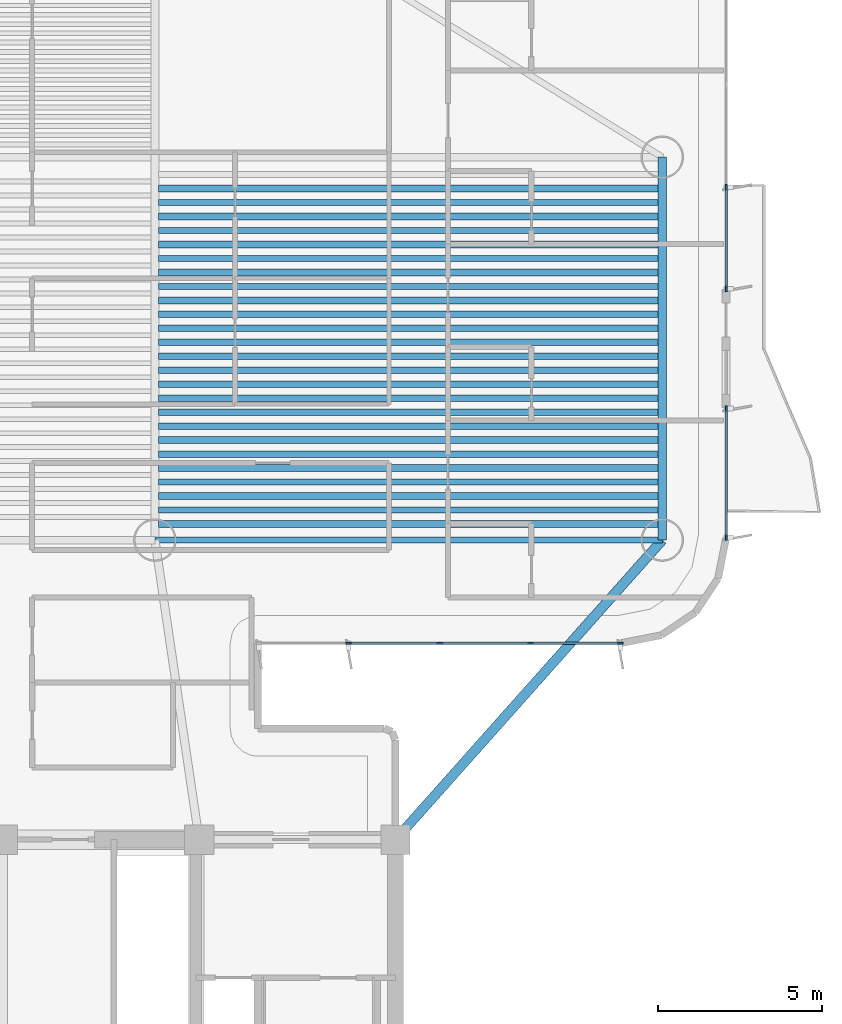
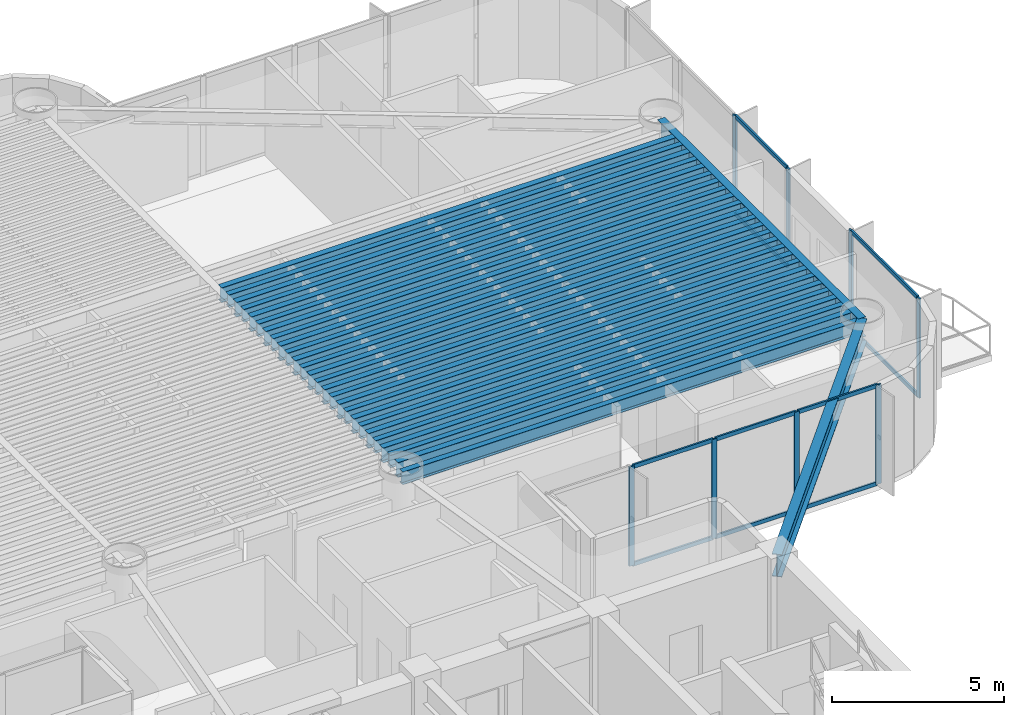
# One storey, part 4 of 17: 28 beams, 18 members, 3 elements without a shape of their own.
"""IFC4 building model written with IfcOpenShell, lengths in metres."""

import ifcopenshell
import ifcopenshell.guid

model = None  # the IFC model being written
_history = None  # IfcOwnerHistory: only IFC2X3 demands one
_inside = {}  # id of a spatial element -> (the spatial element, [elements in it])
_under = {}  # id of a project, library or spatial element -> (it, [spatial elements below it])
_declared = {}  # id of a project -> (the project, [libraries it declares])
_typed = {}  # id of a type object -> (the type object, [elements of that type])
_made_of = {}  # id of a material, layer set ... -> (it, [elements and type objects made of it])


def new_model(schema):
    """Start an empty IFC model of exactly this schema.

    Asked for "IFC4X3", IfcOpenShell would pick the latest addendum, in which some entities
    have other attributes; the version numbers below select the first issue.
    IFC2X3 requires an IfcOwnerHistory on every rooted entity: one is made here for all.
    """
    global model, _history
    if schema == "IFC4X3":
        model = ifcopenshell.file(schema_version=(4, 3, 0, 0))
    else:
        model = ifcopenshell.file(schema=schema)
    _inside.clear()
    _under.clear()
    _declared.clear()
    _typed.clear()
    _made_of.clear()
    _history = None
    if model.schema == "IFC2X3":
        org = make("IfcOrganization", Name="unknown")
        user = make(
            "IfcPersonAndOrganization",
            ThePerson=make("IfcPerson", FamilyName="unknown"),
            TheOrganization=org,
        )
        app = make(
            "IfcApplication",
            ApplicationDeveloper=org,
            Version="unknown",
            ApplicationFullName="unknown",
            ApplicationIdentifier="unknown",
        )
        _history = make(
            "IfcOwnerHistory",
            OwningUser=user,
            OwningApplication=app,
            ChangeAction="ADDED",
            CreationDate=0,
        )
    return model


def make(cls, **values):
    """One entity of the class cls with the attributes given. An attribute that is None is left unset."""
    return model.create_entity(
        cls, **{name: value for name, value in values.items() if value is not None}
    )


def rooted(cls, **values):
    """An entity with a GlobalId (a new one), such as an element, a storey or a relation."""
    return make(cls, GlobalId=ifcopenshell.guid.new(), OwnerHistory=_history, **values)


def si_unit(unit_type, name, prefix=None):
    """IfcSIUnit, for example si_unit("LENGTHUNIT", "METRE", prefix="MILLI")."""
    return make("IfcSIUnit", UnitType=unit_type, Prefix=prefix, Name=name)


def assignment(units):
    """IfcUnitAssignment: the units of a project."""
    return None if units is None else make("IfcUnitAssignment", Units=units)


def point(xyz):
    """IfcCartesianPoint."""
    return None if xyz is None else make("IfcCartesianPoint", Coordinates=xyz)


def direction(xyz):
    """IfcDirection."""
    return None if xyz is None else make("IfcDirection", DirectionRatios=xyz)


def frame(location, z_axis=None, x_axis=None):
    """IfcAxis2Placement3D, a coordinate frame: its origin and axes. An axis left out is left unset."""
    return make(
        "IfcAxis2Placement3D",
        Location=point(location),
        Axis=direction(z_axis),
        RefDirection=direction(x_axis),
    )


def frame_2d(location, x_axis=None):
    """IfcAxis2Placement2D, a coordinate frame in the plane: its origin and x axis."""
    return make(
        "IfcAxis2Placement2D", Location=point(location), RefDirection=direction(x_axis)
    )


def origin():
    """The frame at (0, 0, 0) with its axes left unset."""
    return frame((0.0, 0.0, 0.0))


def origin_2d():
    """The frame at (0, 0) in the plane with its x axis left unset."""
    return frame_2d((0.0, 0.0))


def place(relative_to, where):
    """IfcLocalPlacement: puts the frame where relative to a parent placement (None: the world)."""
    return make(
        "IfcLocalPlacement", PlacementRelTo=relative_to, RelativePlacement=where
    )


def context(
    kind, dimensions, precision=None, world=None, true_north=None, identifier=None
):
    """IfcGeometricRepresentationContext, for example the 3D "Model" context."""
    return make(
        "IfcGeometricRepresentationContext",
        ContextIdentifier=identifier,
        ContextType=kind,
        CoordinateSpaceDimension=dimensions,
        Precision=precision,
        WorldCoordinateSystem=world,
        TrueNorth=true_north,
    )


def subcontext(parent, identifier, kind, view, scale=None):
    """IfcGeometricRepresentationSubContext, for example "Body" below "Model"."""
    return make(
        "IfcGeometricRepresentationSubContext",
        ContextIdentifier=identifier,
        ContextType=kind,
        ParentContext=parent,
        TargetScale=scale,
        TargetView=view,
    )


def project(units=None, contexts=None):
    """IfcProject with its units and contexts."""
    return rooted(
        "IfcProject",
        Name="project",
        RepresentationContexts=contexts,
        UnitsInContext=assignment(units),
    )


def spatial(cls, under=None, at=None, **own):
    """A site, building, storey or space (cls), placed at a placement, below another one or the project."""
    s = rooted(cls, ObjectPlacement=at, **own)
    if under is not None:
        _under.setdefault(under.id(), (under, []))[1].append(s)
    return s


def profile(cls, at=None, kind="AREA", **sizes):
    """A parametric profile (cls). Its sizes go by their IFC names, for example OverallWidth=200.0."""
    return make(cls, ProfileType=kind, Position=at, **sizes)


def rectangle(**sizes):
    """IfcRectangleProfileDef."""
    return profile("IfcRectangleProfileDef", **sizes)


def i_section(**sizes):
    """IfcIShapeProfileDef."""
    return profile("IfcIShapeProfileDef", **sizes)


def extrude(swept, where, along, depth):
    """IfcExtrudedAreaSolid: the profile swept, set in the frame where, extruded along a direction by depth."""
    return make(
        "IfcExtrudedAreaSolid",
        SweptArea=swept,
        Position=where,
        ExtrudedDirection=direction(along),
        Depth=depth,
    )


def shape(context_of_items, identifier, shape_type, items):
    """IfcShapeRepresentation: the items that make up one representation, for example the "Body"."""
    return make(
        "IfcShapeRepresentation",
        ContextOfItems=context_of_items,
        RepresentationIdentifier=identifier,
        RepresentationType=shape_type,
        Items=items,
    )


def source(mapping_origin, context_of_items, identifier, shape_type, items):
    """IfcRepresentationMap: a shape defined once, which mapped items show again and again."""
    return make(
        "IfcRepresentationMap",
        MappingOrigin=mapping_origin,
        MappedRepresentation=shape(context_of_items, identifier, shape_type, items),
    )


def transform(
    local_origin,
    x_axis=None,
    y_axis=None,
    z_axis=None,
    scale=None,
    scale2=None,
    scale3=None,
    uniform=True,
):
    """IfcCartesianTransformationOperator3D, or its non-uniform kind. x_axis, y_axis, z_axis: its Axis1, 2, 3."""
    if uniform:
        return make(
            "IfcCartesianTransformationOperator3D",
            Axis1=direction(x_axis),
            Axis2=direction(y_axis),
            LocalOrigin=point(local_origin),
            Scale=scale,
            Axis3=direction(z_axis),
        )
    return make(
        "IfcCartesianTransformationOperator3DnonUniform",
        Axis1=direction(x_axis),
        Axis2=direction(y_axis),
        LocalOrigin=point(local_origin),
        Scale=scale,
        Axis3=direction(z_axis),
        Scale2=scale2,
        Scale3=scale3,
    )


def mapped(mapping_source, mapping_target):
    """IfcMappedItem: shows the shape of a source again, moved by a transform."""
    return make(
        "IfcMappedItem", MappingSource=mapping_source, MappingTarget=mapping_target
    )


def material(Name=None, Category=None):
    """IfcMaterial."""
    return make("IfcMaterial", Name=Name, Category=Category)


def layer(
    of_material, thickness, ventilated=None, Name=None, Category=None, Priority=None
):
    """IfcMaterialLayer: one layer of a wall or slab, of a material (None: an air gap)."""
    return make(
        "IfcMaterialLayer",
        Material=of_material,
        LayerThickness=thickness,
        IsVentilated=ventilated,
        Name=Name,
        Category=Category,
        Priority=Priority,
    )


def layer_set(layers, Name=None):
    """IfcMaterialLayerSet."""
    return make("IfcMaterialLayerSet", MaterialLayers=layers, LayerSetName=Name)


def material_profile(
    of_material, cross_section, Name=None, Category=None, Priority=None
):
    """IfcMaterialProfile: a cross section and its material."""
    return make(
        "IfcMaterialProfile",
        Name=Name,
        Material=of_material,
        Profile=cross_section,
        Priority=Priority,
        Category=Category,
    )


def profile_set(profiles, Name=None, composite=None):
    """IfcMaterialProfileSet."""
    return make(
        "IfcMaterialProfileSet",
        Name=Name,
        MaterialProfiles=profiles,
        CompositeProfile=composite,
    )


def made_of(thing, what):
    """Note that an element or type object is made of a material, layer set ...; save() writes the relation."""
    if what is not None:
        _made_of.setdefault(what.id(), (what, []))[1].append(thing)
    return thing


def type_object(cls, material=None, **own):
    """A type object (cls), such as IfcWallType, which elements share."""
    return made_of(rooted(cls, **own), material)


def element(
    cls,
    number,
    at=None,
    inside=None,
    cuts=None,
    type_object=None,
    material=None,
    context=None,
    identifier="Body",
    shape_type=None,
    held_by="IfcProductDefinitionShape",
    body=None,
    shapes=None,
    **own,
):
    """One element of the class cls, such as IfcWall. Its Tag is "e" and its number.

    at: its placement. inside: the storey or other place that contains it. cuts: it is an
    opening in that element (IfcRelVoidsElement). A single representation is given by context,
    identifier, shape_type and body (its items); several are given by shapes. held_by: the class
    of the entity that holds the representations. save() writes the other relations.
    """
    e = rooted(cls, Tag="e%d" % number, ObjectPlacement=at, **own)
    if body is not None:
        shapes = [shape(context, identifier, shape_type, body)]
    if shapes is not None:
        e.Representation = make(held_by, Representations=shapes)
    if inside is not None:
        _inside.setdefault(inside.id(), (inside, []))[1].append(e)
    if cuts is not None:
        rooted(
            "IfcRelVoidsElement", RelatingBuildingElement=cuts, RelatedOpeningElement=e
        )
    if type_object is not None:
        _typed.setdefault(type_object.id(), (type_object, []))[1].append(e)
    return made_of(e, material)


def aggregate(whole, parts):
    """IfcRelAggregates: a whole, such as a stair, and the parts it consists of."""
    return rooted("IfcRelAggregates", RelatingObject=whole, RelatedObjects=parts)


def save(model, path):
    """Write the relations noted so far, then the file.

    IfcRelAggregates (storeys below a building ...), IfcRelContainedInSpatialStructure (elements
    in a storey), IfcRelDefinesByType, IfcRelAssociatesMaterial and IfcRelDeclares: one each for
    every whole, place, type object, material and project.
    """
    for whole, parts in _under.values():
        aggregate(whole, parts)
    for where, things in _inside.values():
        rooted(
            "IfcRelContainedInSpatialStructure",
            RelatedElements=things,
            RelatingStructure=where,
        )
    for kind, things in _typed.values():
        rooted("IfcRelDefinesByType", RelatedObjects=things, RelatingType=kind)
    for what, things in _made_of.values():
        rooted("IfcRelAssociatesMaterial", RelatedObjects=things, RelatingMaterial=what)
    for by, libraries in _declared.values():
        rooted("IfcRelDeclares", RelatingContext=by, RelatedDefinitions=libraries)
    model.write(path)


model = new_model("IFC4")

# Units and contexts
model_context = context("Model", 3, precision=1e-05, world=origin(), true_north=direction((0.0, 1.0)))
body_context = subcontext(model_context, "Body", "Model", "MODEL_VIEW")
ifc_project = project(units=[si_unit("LENGTHUNIT", "METRE"), si_unit("AREAUNIT", "SQUARE_METRE"), si_unit("VOLUMEUNIT", "CUBIC_METRE"), si_unit("PLANEANGLEUNIT", "RADIAN"), si_unit("MASSUNIT", "GRAM", prefix="KILO")], contexts=[model_context])

# Site, building, storey
site_placement = place(None, origin())
site = spatial("IfcSite", under=ifc_project, at=site_placement, CompositionType="ELEMENT")
building_placement = place(site_placement, origin())
building = spatial("IfcBuilding", under=site, at=building_placement, Name="Brelvock Crest Care Tower", CompositionType="ELEMENT")
storey_placement = place(building_placement, frame((0.0, 0.0, 127.6201171875)))
storey = spatial("IfcBuildingStorey", under=building, at=storey_placement, Name="L32", CompositionType="ELEMENT", Elevation=127.6201171875)

# Beams
ifc_material_1 = material(Name="Steel Grade 350", Category="steel")
ifc_material_profile_1 = material_profile(ifc_material_1, i_section(OverallWidth=0.208984375, OverallDepth=0.532958984375, WebThickness=0.01025390625, FlangeThickness=0.015625, FilletRadius=0.013916015625, at=origin_2d()), Name="530UB92.4")
ifc_profile_set_1 = profile_set([ifc_material_profile_1], Name="Steel Grade 350")
beam_type_1 = type_object("IfcBeamType", Name="BM-G2", PredefinedType="BEAM", material=ifc_profile_set_1)
shared_shape_1 = source(origin(), body_context, "Body", "SweptSolid", [
    extrude(i_section(OverallWidth=0.208984375, OverallDepth=0.532958984375, WebThickness=0.01025390625, FlangeThickness=0.015625, FilletRadius=0.013916015625, at=origin_2d()), origin(), (0.0, 0.0, 1.0), 15.27001953125),
])
for number, where, z_axis, x_axis, name in (
    (1, (40.764892578125, 27.641357421875, 3.263427734375), (1.0, 0.0, 0.0), (0.0, 1.0, 0.0), "BM-JE-L32-1"),
    (2, (40.764892578125, 28.49560546875, 3.263427734375), (1.0, 0.0, 0.0), (0.0, 1.0, 0.0), "BM-JE-L32-3"),
    (3, (40.764892578125, 29.349609375, 3.263427734375), (1.0, 0.0, 0.0), (0.0, 1.0, 0.0), "BM-JE-L32-5"),
    (4, (40.764892578125, 30.20361328125, 3.263427734375), (1.0, 0.0, 0.0), (0.0, 1.0, 0.0), "BM-JE-L32-7"),
    (5, (40.764892578125, 31.057861328125, 3.263427734375), (1.0, 0.0, 0.0), (0.0, 1.0, 0.0), "BM-JE-L32-9"),
    (6, (40.764892578125, 31.911865234375, 3.263427734375), (1.0, 0.0, 0.0), (0.0, 1.0, 0.0), "BM-JE-L32-11"),
    (7, (40.764892578125, 32.76611328125, 3.263427734375), (1.0, 0.0, 0.0), (0.0, 1.0, 0.0), "BM-JE-L32-13"),
    (8, (40.764892578125, 33.6201171875, 3.263427734375), (1.0, 0.0, 0.0), (0.0, 1.0, 0.0), "BM-JE-L32-15"),
    (9, (40.764892578125, 34.47412109375, 3.263427734375), (1.0, 0.0, 0.0), (0.0, 1.0, 0.0), "BM-JE-L32-17"),
    (10, (40.764892578125, 35.328369140625, 3.263427734375), (1.0, 0.0, 0.0), (0.0, 1.0, 0.0), "BM-JE-L32-19"),
    (11, (40.764892578125, 36.182373046875, 3.263427734375), (1.0, 0.0, 0.0), (0.0, 1.0, 0.0), "BM-JE-L32-21"),
    (12, (40.764892578125, 37.03662109375, 3.263427734375), (1.0, 0.0, 0.0), (0.0, 1.0, 0.0), "BM-JE-L32-23"),
    (13, (40.764892578125, 37.890625, 3.263427734375), (1.0, 0.0, 0.0), (0.0, 1.0, 0.0), "BM-JE-L32-25"),
):
    element("IfcBeam", number, at=place(storey_placement, frame(where, z_axis=z_axis, x_axis=x_axis)), inside=storey, type_object=beam_type_1, Name=name, PredefinedType="BEAM", context=body_context, shape_type="MappedRepresentation", body=[
        mapped(shared_shape_1, transform((0.0, 0.0, 0.0), x_axis=(1.0, 0.0, 0.0), y_axis=(0.0, 1.0, 0.0), z_axis=(0.0, 0.0, 1.0), scale=1.0)),
    ])
ifc_material_profile_2 = material_profile(ifc_material_1, i_section(OverallWidth=0.19091796875, OverallDepth=0.4599609375, WebThickness=0.010009765625, FlangeThickness=0.01611328125, FilletRadius=0.011474609375, at=origin_2d()), Name="460UB82.1")
ifc_profile_set_2 = profile_set([ifc_material_profile_2], Name="Steel Grade 350")
beam_type_2 = type_object("IfcBeamType", Name="BM-G3", PredefinedType="BEAM", material=ifc_profile_set_2)
shared_shape_2 = source(origin(), body_context, "Body", "SweptSolid", [
    extrude(i_section(OverallWidth=0.19091796875, OverallDepth=0.4599609375, WebThickness=0.010009765625, FlangeThickness=0.01611328125, FilletRadius=0.011474609375, at=origin_2d()), origin(), (0.0, 0.0, 1.0), 15.27001953125),
])
for number, where, z_axis, x_axis, name in (
    (14, (40.764892578125, 28.068359375, 3.2998046875), (1.0, 0.0, 0.0), (0.0, 1.0, 0.0), "BM-JE-L32-2"),
    (15, (40.764892578125, 28.922607421875, 3.2998046875), (1.0, 0.0, 0.0), (0.0, 1.0, 0.0), "BM-JE-L32-4"),
    (16, (40.764892578125, 29.776611328125, 3.2998046875), (1.0, 0.0, 0.0), (0.0, 1.0, 0.0), "BM-JE-L32-6"),
    (17, (40.764892578125, 30.630615234375, 3.2998046875), (1.0, 0.0, 0.0), (0.0, 1.0, 0.0), "BM-JE-L32-8"),
    (18, (40.764892578125, 31.48486328125, 3.2998046875), (1.0, 0.0, 0.0), (0.0, 1.0, 0.0), "BM-JE-L32-10"),
    (19, (40.764892578125, 32.3388671875, 3.2998046875), (1.0, 0.0, 0.0), (0.0, 1.0, 0.0), "BM-JE-L32-12"),
    (20, (40.764892578125, 33.193115234375, 3.2998046875), (1.0, 0.0, 0.0), (0.0, 1.0, 0.0), "BM-JE-L32-14"),
    (21, (40.764892578125, 34.047119140625, 3.2998046875), (1.0, 0.0, 0.0), (0.0, 1.0, 0.0), "BM-JE-L32-16"),
    (22, (40.764892578125, 34.901123046875, 3.2998046875), (1.0, 0.0, 0.0), (0.0, 1.0, 0.0), "BM-JE-L32-18"),
    (23, (40.764892578125, 35.75537109375, 3.2998046875), (1.0, 0.0, 0.0), (0.0, 1.0, 0.0), "BM-JE-L32-20"),
    (24, (40.764892578125, 36.609619140625, 3.2998046875), (1.0, 0.0, 0.0), (0.0, 1.0, 0.0), "BM-JE-L32-22"),
    (25, (40.764892578125, 37.46337890625, 3.2998046875), (1.0, 0.0, 0.0), (0.0, 1.0, 0.0), "BM-JE-L32-24"),
):
    element("IfcBeam", number, at=place(storey_placement, frame(where, z_axis=z_axis, x_axis=x_axis)), inside=storey, type_object=beam_type_2, Name=name, PredefinedType="BEAM", context=body_context, shape_type="MappedRepresentation", body=[
        mapped(shared_shape_2, transform((0.0, 0.0, 0.0), x_axis=(1.0, 0.0, 0.0), y_axis=(0.0, 1.0, 0.0), z_axis=(0.0, 0.0, 1.0), scale=1.0)),
    ])
ifc_material_profile_3 = material_profile(ifc_material_1, i_section(OverallWidth=0.25, OverallDepth=0.699951171875, WebThickness=0.011962890625, FlangeThickness=0.02001953125, at=origin_2d()), Name="700WB150")
ifc_profile_set_3 = profile_set([ifc_material_profile_3], Name="Steel Grade 350")
beam_type_3 = type_object("IfcBeamType", Name="BM-G4", PredefinedType="BEAM", material=ifc_profile_set_3)
shared_shape_3 = source(origin(), body_context, "Body", "SweptSolid", [
    extrude(i_section(OverallWidth=0.25, OverallDepth=0.699951171875, WebThickness=0.011962890625, FlangeThickness=0.02001953125, at=origin_2d()), origin(), (0.0, 0.0, 1.0), 11.7001953125),
])
beam_1_placement = place(storey_placement, frame((56.14990234375, 27.14990234375, 3.179931640625), z_axis=(0.0, 1.0, 0.0), x_axis=(-1.0, 0.0, 0.0)))
element("IfcBeam", 26, at=beam_1_placement, inside=storey, type_object=beam_type_3, Name="BM-TWR-L32-02", PredefinedType="BEAM", context=body_context, shape_type="MappedRepresentation", body=[
    mapped(shared_shape_3, transform((0.0, 0.0, 0.0), x_axis=(1.0, 0.0, 0.0), y_axis=(0.0, 1.0, 0.0), z_axis=(0.0, 0.0, 1.0), scale=1.0)),
])
ifc_material_profile_4 = material_profile(ifc_material_1, i_section(OverallWidth=0.19091796875, OverallDepth=0.4599609375, WebThickness=0.010009765625, FlangeThickness=0.01611328125, FilletRadius=0.011474609375, at=origin_2d()), Name="460UB82.1")
ifc_profile_set_4 = profile_set([ifc_material_profile_4], Name="Steel Grade 350")
beam_type_4 = type_object("IfcBeamType", Name="BM-SP2", PredefinedType="SPANDREL", material=ifc_profile_set_4)
shared_shape_4 = source(origin(), body_context, "Body", "SweptSolid", [
    extrude(i_section(OverallWidth=0.19091796875, OverallDepth=0.4599609375, WebThickness=0.010009765625, FlangeThickness=0.01611328125, FilletRadius=0.011474609375, at=origin_2d()), origin(), (0.0, 0.0, 1.0), 15.5),
])
beam_2_placement = place(storey_placement, frame((40.64990234375, 27.14990234375, 3.2998046875), z_axis=(1.0, 0.0, 0.0), x_axis=(0.0, 1.0, 0.0)))
element("IfcBeam", 27, at=beam_2_placement, inside=storey, type_object=beam_type_4, Name="BM-TWR-L32-04", PredefinedType="SPANDREL", context=body_context, shape_type="MappedRepresentation", body=[
    mapped(shared_shape_4, transform((0.0, 0.0, 0.0), x_axis=(1.0, 0.0, 0.0), y_axis=(0.0, 1.0, 0.0), z_axis=(0.0, 0.0, 1.0), scale=1.0)),
])
ifc_material_profile_5 = material_profile(ifc_material_1, i_section(OverallWidth=0.300048828125, OverallDepth=0.800048828125, WebThickness=0.013916015625, FlangeThickness=0.02197265625, at=origin_2d()), Name="800WB192")
ifc_profile_set_5 = profile_set([ifc_material_profile_5], Name="Steel Grade 350")
beam_type_5 = type_object("IfcBeamType", Name="BM-G5", PredefinedType="BEAM", material=ifc_profile_set_5)
shared_shape_5 = source(origin(), body_context, "Body", "SweptSolid", [
    extrude(i_section(OverallWidth=0.300048828125, OverallDepth=0.800048828125, WebThickness=0.013916015625, FlangeThickness=0.02197265625, at=origin_2d()), origin(), (0.0, 0.0, 1.0), 12.253173828125),
])
beam_3_placement = place(storey_placement, frame((48.0, 18.0, 3.1298828125), z_axis=(0.665122829149, 0.746733970129, 0.0), x_axis=(-0.746733970129, 0.665122829149, 0.0)))
element("IfcBeam", 28, at=beam_3_placement, inside=storey, type_object=beam_type_5, Name="BM-THRO-E-L32", PredefinedType="BEAM", context=body_context, shape_type="MappedRepresentation", body=[
    mapped(shared_shape_5, transform((0.0, 0.0, 0.0), x_axis=(1.0, 0.0, 0.0), y_axis=(0.0, 1.0, 0.0), z_axis=(0.0, 0.0, 1.0), scale=1.0)),
])

# Curtain wall, members
ifc_material_2 = material(Name="Dark Glass Double Glazed Low-E", Category="glass")
ifc_layer = layer(ifc_material_2, 0.2099609375, Name="CWS-3")
ifc_layer_set = layer_set([ifc_layer], Name="Dark Glass Double Glazed Low-E")
curtain_wall_type = type_object("IfcCurtainWallType", Name="CWS-3", PredefinedType="NOTDEFINED", material=ifc_layer_set)
curtain_wall_1_placement = place(storey_placement, origin())
curtain_wall_1 = element("IfcCurtainWall", 29, at=curtain_wall_1_placement, inside=storey, type_object=curtain_wall_type, Name="L32 Curtain Wall E44", PredefinedType="NOTDEFINED")
ifc_material_3 = material(Name="Aluminium 6063-T6", Category="aluminium")
ifc_material_profile_6 = material_profile(ifc_material_3, rectangle(XDim=0.06005859375, YDim=0.139892578125, at=origin_2d()), Name="ALU60x140")
ifc_profile_set_6 = profile_set([ifc_material_profile_6], Name="Aluminium 6063-T6")
member_type_1 = type_object("IfcMemberType", Name="CWT-2", PredefinedType="USERDEFINED", material=ifc_profile_set_6)
shared_shape_6 = source(origin(), body_context, "Body", "SweptSolid", [
    extrude(rectangle(XDim=0.06005859375, YDim=0.139892578125, at=origin_2d()), origin(), (0.0, 0.0, 1.0), 2.715087890625),
])
member_1_placement = place(storey_placement, frame((52.094970703125, 24.0, 0.02978515625), z_axis=(-1.0, 0.0, 0.0), x_axis=(0.0, -1.0, 0.0)))
member_1 = element("IfcMember", 30, at=member_1_placement, type_object=member_type_1, Name="CW-3 transom 2.1", ObjectType="TRANSOM", PredefinedType="USERDEFINED", context=body_context, shape_type="MappedRepresentation", body=[
    mapped(shared_shape_6, transform((0.0, 0.0, 0.0), x_axis=(1.0, 0.0, 0.0), y_axis=(0.0, 1.0, 0.0), z_axis=(0.0, 0.0, 1.0), scale=1.0)),
])
member_2_placement = place(storey_placement, frame((52.094970703125, 24.0, 3.5), z_axis=(-1.0, 0.0, 0.0), x_axis=(0.0, -1.0, 0.0)))
member_2 = element("IfcMember", 31, at=member_2_placement, type_object=member_type_1, Name="CW-3 transom 2.2", ObjectType="TRANSOM", PredefinedType="USERDEFINED", context=body_context, shape_type="MappedRepresentation", body=[
    mapped(shared_shape_6, transform((0.0, 0.0, 0.0), x_axis=(1.0, 0.0, 0.0), y_axis=(0.0, 1.0, 0.0), z_axis=(0.0, 0.0, 1.0), scale=1.0)),
])
member_3_placement = place(storey_placement, frame((49.320068359375, 24.0, 0.02978515625), z_axis=(-1.0, 0.0, 0.0), x_axis=(0.0, -1.0, 0.0)))
member_3 = element("IfcMember", 32, at=member_3_placement, type_object=member_type_1, Name="CW-3 transom 3.1", ObjectType="TRANSOM", PredefinedType="USERDEFINED", context=body_context, shape_type="MappedRepresentation", body=[
    mapped(shared_shape_6, transform((0.0, 0.0, 0.0), x_axis=(1.0, 0.0, 0.0), y_axis=(0.0, 1.0, 0.0), z_axis=(0.0, 0.0, 1.0), scale=1.0)),
])
member_4_placement = place(storey_placement, frame((49.320068359375, 24.0, 3.5), z_axis=(-1.0, 0.0, 0.0), x_axis=(0.0, -1.0, 0.0)))
member_4 = element("IfcMember", 33, at=member_4_placement, type_object=member_type_1, Name="CW-3 transom 3.2", ObjectType="TRANSOM", PredefinedType="USERDEFINED", context=body_context, shape_type="MappedRepresentation", body=[
    mapped(shared_shape_6, transform((0.0, 0.0, 0.0), x_axis=(1.0, 0.0, 0.0), y_axis=(0.0, 1.0, 0.0), z_axis=(0.0, 0.0, 1.0), scale=1.0)),
])
shared_shape_7 = source(origin(), body_context, "Body", "SweptSolid", [
    extrude(rectangle(XDim=0.06005859375, YDim=0.139892578125, at=origin_2d()), origin(), (0.0, 0.0, 1.0), 2.68505859375),
])
member_5_placement = place(storey_placement, frame((54.840087890625, 24.0, 0.02978515625), z_axis=(-1.0, 0.0, 0.0), x_axis=(0.0, -1.0, 0.0)))
member_5 = element("IfcMember", 34, at=member_5_placement, type_object=member_type_1, Name="CW-3 transom 1.1", ObjectType="TRANSOM", PredefinedType="USERDEFINED", context=body_context, shape_type="MappedRepresentation", body=[
    mapped(shared_shape_7, transform((0.0, 0.0, 0.0), x_axis=(1.0, 0.0, 0.0), y_axis=(0.0, 1.0, 0.0), z_axis=(0.0, 0.0, 1.0), scale=1.0)),
])
member_6_placement = place(storey_placement, frame((54.840087890625, 24.0, 3.5), z_axis=(-1.0, 0.0, 0.0), x_axis=(0.0, -1.0, 0.0)))
member_6 = element("IfcMember", 35, at=member_6_placement, type_object=member_type_1, Name="CW-3 transom 1.2", ObjectType="TRANSOM", PredefinedType="USERDEFINED", context=body_context, shape_type="MappedRepresentation", body=[
    mapped(shared_shape_7, transform((0.0, 0.0, 0.0), x_axis=(1.0, 0.0, 0.0), y_axis=(0.0, 1.0, 0.0), z_axis=(0.0, 0.0, 1.0), scale=1.0)),
])

curtain_wall_2_placement = place(storey_placement, origin())
curtain_wall_2 = element("IfcCurtainWall", 36, at=curtain_wall_2_placement, inside=storey, type_object=curtain_wall_type, Name="L32 Curtain Wall E39A", PredefinedType="NOTDEFINED")
ifc_material_profile_7 = material_profile(ifc_material_3, rectangle(XDim=0.06005859375, YDim=0.179931640625, at=origin_2d()), Name="ALU60x180")
ifc_profile_set_7 = profile_set([ifc_material_profile_7], Name="Aluminium 6063-T6")
member_type_2 = type_object("IfcMemberType", Name="CWM-2", PredefinedType="MULLION", material=ifc_profile_set_7)
shared_shape_8 = source(origin(), body_context, "Body", "SweptSolid", [
    extrude(rectangle(XDim=0.06005859375, YDim=0.179931640625, at=origin_2d()), origin(), (0.0, 0.0, 1.0), 3.52978515625),
])
member_7_placement = place(storey_placement, frame((58.10009765625, 37.933349609375, 0.0), z_axis=(0.0, 0.0, 1.0), x_axis=(1.0, 0.0, 0.0)))
member_7 = element("IfcMember", 37, at=member_7_placement, type_object=member_type_2, Name="CW-3 mullion 3", PredefinedType="MULLION", context=body_context, shape_type="MappedRepresentation", body=[
    mapped(shared_shape_8, transform((0.0, 0.0, 0.0), x_axis=(1.0, 0.0, 0.0), y_axis=(0.0, 1.0, 0.0), z_axis=(0.0, 0.0, 1.0), scale=1.0)),
])
member_8_placement = place(storey_placement, frame((58.10009765625, 34.830078125, 0.0), z_axis=(0.0, 0.0, 1.0), x_axis=(1.0, 0.0, 0.0)))
member_8 = element("IfcMember", 38, at=member_8_placement, type_object=member_type_2, Name="CW-3 mullion 4", PredefinedType="MULLION", context=body_context, shape_type="MappedRepresentation", body=[
    mapped(shared_shape_8, transform((0.0, 0.0, 0.0), x_axis=(1.0, 0.0, 0.0), y_axis=(0.0, 1.0, 0.0), z_axis=(0.0, 0.0, 1.0), scale=1.0)),
])

curtain_wall_3_placement = place(storey_placement, origin())
curtain_wall_3 = element("IfcCurtainWall", 39, at=curtain_wall_3_placement, inside=storey, type_object=curtain_wall_type, Name="L32 Curtain Wall E39B", PredefinedType="NOTDEFINED")
member_9_placement = place(storey_placement, frame((58.10009765625, 31.169921875, 0.0), z_axis=(0.0, 0.0, 1.0), x_axis=(1.0, 0.0, 0.0)))
member_9 = element("IfcMember", 40, at=member_9_placement, type_object=member_type_2, Name="CW-3 mullion 1", PredefinedType="MULLION", context=body_context, shape_type="MappedRepresentation", body=[
    mapped(shared_shape_8, transform((0.0, 0.0, 0.0), x_axis=(1.0, 0.0, 0.0), y_axis=(0.0, 1.0, 0.0), z_axis=(0.0, 0.0, 1.0), scale=1.0)),
])
member_10_placement = place(storey_placement, frame((58.10009765625, 27.22998046875, 0.0), z_axis=(0.0, 0.0, 1.0), x_axis=(1.0, 0.0, 0.0)))
member_10 = element("IfcMember", 41, at=member_10_placement, type_object=member_type_2, Name="CW-3 mullion 2", PredefinedType="MULLION", context=body_context, shape_type="MappedRepresentation", body=[
    mapped(shared_shape_8, transform((0.0, 0.0, 0.0), x_axis=(1.0, 0.0, 0.0), y_axis=(0.0, 1.0, 0.0), z_axis=(0.0, 0.0, 1.0), scale=1.0)),
])

# Member
member_11_placement = place(storey_placement, frame((54.8701171875, 24.0, 0.0), z_axis=(0.0, 0.0, 1.0), x_axis=(0.0, -1.0, 0.0)))
member_11 = element("IfcMember", 42, at=member_11_placement, type_object=member_type_2, Name="CW-3 mullion 1", PredefinedType="MULLION", context=body_context, shape_type="MappedRepresentation", body=[
    mapped(shared_shape_8, transform((0.0, 0.0, 0.0), x_axis=(1.0, 0.0, 0.0), y_axis=(0.0, 1.0, 0.0), z_axis=(0.0, 0.0, 1.0), scale=1.0)),
])

member_12_placement = place(storey_placement, frame((52.125, 24.0, 0.0), z_axis=(0.0, 0.0, 1.0), x_axis=(0.0, -1.0, 0.0)))
member_12 = element("IfcMember", 43, at=member_12_placement, type_object=member_type_2, Name="CW-3 mullion 2", PredefinedType="MULLION", context=body_context, shape_type="MappedRepresentation", body=[
    mapped(shared_shape_8, transform((0.0, 0.0, 0.0), x_axis=(1.0, 0.0, 0.0), y_axis=(0.0, 1.0, 0.0), z_axis=(0.0, 0.0, 1.0), scale=1.0)),
])

member_13_placement = place(storey_placement, frame((49.35009765625, 24.0, 0.0), z_axis=(0.0, 0.0, 1.0), x_axis=(0.0, -1.0, 0.0)))
member_13 = element("IfcMember", 44, at=member_13_placement, type_object=member_type_2, Name="CW-3 mullion 3", PredefinedType="MULLION", context=body_context, shape_type="MappedRepresentation", body=[
    mapped(shared_shape_8, transform((0.0, 0.0, 0.0), x_axis=(1.0, 0.0, 0.0), y_axis=(0.0, 1.0, 0.0), z_axis=(0.0, 0.0, 1.0), scale=1.0)),
])

member_14_placement = place(storey_placement, frame((46.574951171875, 24.0, 0.0), z_axis=(0.0, 0.0, 1.0), x_axis=(0.0, -1.0, 0.0)))
member_14 = element("IfcMember", 45, at=member_14_placement, type_object=member_type_2, Name="CW-3 mullion 4", PredefinedType="MULLION", context=body_context, shape_type="MappedRepresentation", body=[
    mapped(shared_shape_8, transform((0.0, 0.0, 0.0), x_axis=(1.0, 0.0, 0.0), y_axis=(0.0, 1.0, 0.0), z_axis=(0.0, 0.0, 1.0), scale=1.0)),
])

aggregate(curtain_wall_1, [member_11, member_12, member_13, member_14, member_5, member_6, member_1, member_2, member_3, member_4])

shared_shape_9 = source(origin(), body_context, "Body", "SweptSolid", [
    extrude(rectangle(XDim=0.06005859375, YDim=0.139892578125, at=origin_2d()), origin(), (0.0, 0.0, 1.0), 3.8798828125),
])
member_15_placement = place(storey_placement, frame((58.10009765625, 31.139892578125, 0.02978515625), z_axis=(0.0, -1.0, 0.0), x_axis=(1.0, 0.0, 0.0)))
member_15 = element("IfcMember", 46, at=member_15_placement, type_object=member_type_1, Name="CW-3 transom 1.1", ObjectType="TRANSOM", PredefinedType="USERDEFINED", context=body_context, shape_type="MappedRepresentation", body=[
    mapped(shared_shape_9, transform((0.0, 0.0, 0.0), x_axis=(1.0, 0.0, 0.0), y_axis=(0.0, 1.0, 0.0), z_axis=(0.0, 0.0, 1.0), scale=1.0)),
])

member_16_placement = place(storey_placement, frame((58.10009765625, 31.139892578125, 3.5), z_axis=(0.0, -1.0, 0.0), x_axis=(1.0, 0.0, 0.0)))
member_16 = element("IfcMember", 47, at=member_16_placement, type_object=member_type_1, Name="CW-3 transom 1.2", ObjectType="TRANSOM", PredefinedType="USERDEFINED", context=body_context, shape_type="MappedRepresentation", body=[
    mapped(shared_shape_9, transform((0.0, 0.0, 0.0), x_axis=(1.0, 0.0, 0.0), y_axis=(0.0, 1.0, 0.0), z_axis=(0.0, 0.0, 1.0), scale=1.0)),
])

aggregate(curtain_wall_3, [member_9, member_10, member_15, member_16])

shared_shape_10 = source(origin(), body_context, "Body", "SweptSolid", [
    extrude(rectangle(XDim=0.06005859375, YDim=0.139892578125, at=origin_2d()), origin(), (0.0, 0.0, 1.0), 3.043212890625),
])
member_17_placement = place(storey_placement, frame((58.10009765625, 37.9033203125, 0.02978515625), z_axis=(0.0, -1.0, 0.0), x_axis=(1.0, 0.0, 0.0)))
member_17 = element("IfcMember", 48, at=member_17_placement, type_object=member_type_1, Name="CW-3 transom 3.1", ObjectType="TRANSOM", PredefinedType="USERDEFINED", context=body_context, shape_type="MappedRepresentation", body=[
    mapped(shared_shape_10, transform((0.0, 0.0, 0.0), x_axis=(1.0, 0.0, 0.0), y_axis=(0.0, 1.0, 0.0), z_axis=(0.0, 0.0, 1.0), scale=1.0)),
])

member_18_placement = place(storey_placement, frame((58.10009765625, 37.9033203125, 3.5), z_axis=(0.0, -1.0, 0.0), x_axis=(1.0, 0.0, 0.0)))
member_18 = element("IfcMember", 49, at=member_18_placement, type_object=member_type_1, Name="CW-3 transom 3.2", ObjectType="TRANSOM", PredefinedType="USERDEFINED", context=body_context, shape_type="MappedRepresentation", body=[
    mapped(shared_shape_10, transform((0.0, 0.0, 0.0), x_axis=(1.0, 0.0, 0.0), y_axis=(0.0, 1.0, 0.0), z_axis=(0.0, 0.0, 1.0), scale=1.0)),
])

aggregate(curtain_wall_2, [member_7, member_8, member_17, member_18])

save(model, "model.ifc")
